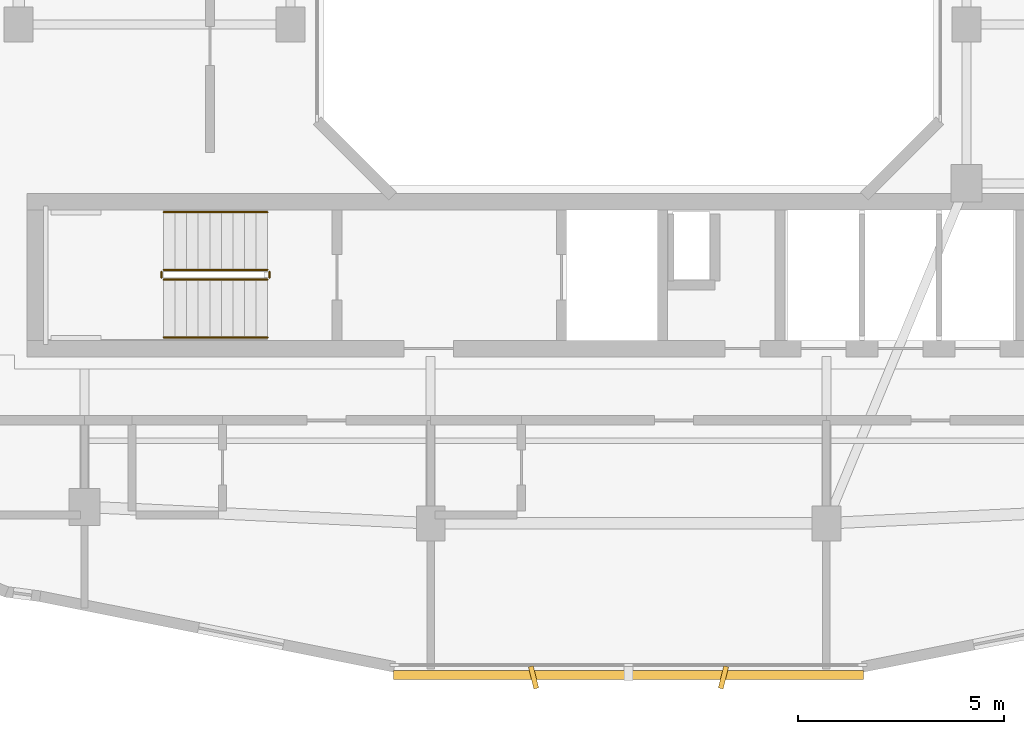
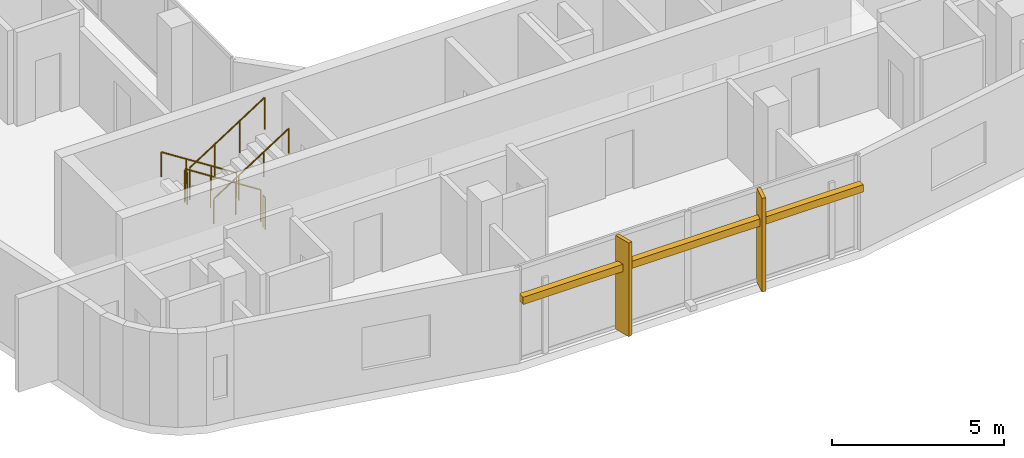
# One storey, part 11 of 14: 6 railings, 3 shading devices.
"""IFC4 building model written with IfcOpenShell, lengths in metres."""

from ifc_helpers import new_model, si_unit, derived_unit, direction, frame, origin, origin_2d, place, context, subcontext, project, spatial, rectangle, circle, extrude, material, type_object, element, save


model = new_model("IFC4")

# Units and contexts
model_context = context("Model", 3, precision=1e-05, world=origin(), true_north=direction((0.0, 1.0)))
body_context = subcontext(model_context, "Body", "Model", "MODEL_VIEW")
ifc_project = project(units=[si_unit("LENGTHUNIT", "METRE"), si_unit("AREAUNIT", "SQUARE_METRE"), si_unit("VOLUMEUNIT", "CUBIC_METRE"), si_unit("PLANEANGLEUNIT", "RADIAN"), si_unit("MASSUNIT", "GRAM", prefix="KILO"), derived_unit("THERMALTRANSMITTANCEUNIT", [(si_unit("POWERUNIT", "WATT"), 1), (si_unit("LENGTHUNIT", "METRE"), -2), (si_unit("THERMODYNAMICTEMPERATUREUNIT", "KELVIN"), -1)])], contexts=[model_context])

# Site, building, storey
site_placement = place(None, origin())
site = spatial("IfcSite", under=ifc_project, at=site_placement, CompositionType="ELEMENT")
building_placement = place(site_placement, origin())
building = spatial("IfcBuilding", under=site, at=building_placement, Name="Kivonza Crest Hotel", CompositionType="ELEMENT")
storey_placement = place(building_placement, frame((0.0, 0.0, 224.300048828125)))
storey = spatial("IfcBuildingStorey", under=building, at=storey_placement, Name="L61", CompositionType="ELEMENT", Elevation=224.300048828125)

# Railings
ifc_material_1 = material(Name="Brushed stainless steel handrail", Category="steel")
railing_type_1 = type_object("IfcRailingType", Name="RL-HAND-900", PredefinedType="HANDRAIL", material=ifc_material_1)
railing_1_placement = place(storey_placement, frame((12.239990234375, 16.949951171875, 0.179931640625)))
element("IfcRailing", 1, at=railing_1_placement, inside=storey, type_object=railing_type_1, Name="L61 ST-T1-S stair handrail 1", PredefinedType="HANDRAIL", context=body_context, shape_type="SweptSolid", body=[
    extrude(circle(Radius=0.02392578125, at=origin_2d()), frame((0.0, 0.0, 0.8759765625), z_axis=(-0.841162588446, 0.0, 0.540782303519), x_axis=(0.0, -1.0, 0.0)), (0.0, 0.0, 1.0), 2.995849609375),
    extrude(circle(Radius=0.02099609375, at=origin_2d()), origin(), (0.0, 0.0, 1.0), 0.851806640625),
    extrude(circle(Radius=0.02099609375, at=origin_2d()), frame((-0.840087890625, 0.0, 0.5400390625)), (0.0, 0.0, 1.0), 0.851806640625),
    extrude(circle(Radius=0.02099609375, at=origin_2d()), frame((-1.679931640625, 0.0, 1.080078125)), (0.0, 0.0, 1.0), 0.851806640625),
    extrude(circle(Radius=0.02099609375, at=origin_2d()), frame((-2.52001953125, 0.0, 1.6201171875)), (0.0, 0.0, 1.0), 0.851806640625),
])
railing_2_placement = place(storey_placement, frame((9.719970703125, 13.909912109375, 1.97998046875)))
element("IfcRailing", 2, at=railing_2_placement, inside=storey, type_object=railing_type_1, Name="L61 ST-T1-S stair handrail 2", PredefinedType="HANDRAIL", context=body_context, shape_type="SweptSolid", body=[
    extrude(circle(Radius=0.02392578125, at=origin_2d()), frame((0.0, 0.0, 0.8759765625), z_axis=(0.841199657755, 0.0, 0.540724639528), x_axis=(0.0, 1.0, 0.0)), (0.0, 0.0, 1.0), 2.995849609375),
    extrude(circle(Radius=0.02099609375, at=origin_2d()), origin(), (0.0, 0.0, 1.0), 0.851806640625),
    extrude(circle(Radius=0.02099609375, at=origin_2d()), frame((0.840087890625, 0.0, 0.5400390625)), (0.0, 0.0, 1.0), 0.851806640625),
    extrude(circle(Radius=0.02099609375, at=origin_2d()), frame((1.679931640625, 0.0, 1.079833984375)), (0.0, 0.0, 1.0), 0.851806640625),
    extrude(circle(Radius=0.02099609375, at=origin_2d()), frame((2.52001953125, 0.0, 1.619873046875)), (0.0, 0.0, 1.0), 0.851806640625),
])
ifc_material_2 = material(Name="Painted steel balustrade", Category="steel")
railing_type_2 = type_object("IfcRailingType", Name="RL-STAIR-1150", PredefinedType="BALUSTRADE", material=ifc_material_2)
railing_3_placement = place(storey_placement, frame((12.239990234375, 15.550048828125, 0.179931640625)))
element("IfcRailing", 3, at=railing_3_placement, inside=storey, type_object=railing_type_2, Name="L61 ST-T1-S stair guard 1", PredefinedType="BALUSTRADE", context=body_context, shape_type="SweptSolid", body=[
    extrude(circle(Radius=0.02392578125, at=origin_2d()), frame((0.0, 0.0, 1.1259765625), z_axis=(-0.841162588446, 0.0, 0.540782303519), x_axis=(0.0, -1.0, 0.0)), (0.0, 0.0, 1.0), 2.995849609375),
    extrude(circle(Radius=0.02099609375, at=origin_2d()), origin(), (0.0, 0.0, 1.0), 1.101806640625),
    extrude(circle(Radius=0.02099609375, at=origin_2d()), frame((-0.840087890625, 0.0, 0.5400390625)), (0.0, 0.0, 1.0), 1.101806640625),
    extrude(circle(Radius=0.02099609375, at=origin_2d()), frame((-1.679931640625, 0.0, 1.080078125)), (0.0, 0.0, 1.0), 1.101806640625),
    extrude(circle(Radius=0.02099609375, at=origin_2d()), frame((-2.52001953125, 0.0, 1.6201171875)), (0.0, 0.0, 1.0), 1.101806640625),
])
railing_4_placement = place(storey_placement, frame((9.669921875, 15.5, 1.800048828125)))
element("IfcRailing", 4, at=railing_4_placement, inside=storey, type_object=railing_type_2, Name="L61 ST-T1-S stair guard 2", PredefinedType="BALUSTRADE", context=body_context, shape_type="SweptSolid", body=[
    extrude(circle(Radius=0.02392578125, at=origin_2d()), frame((0.0, 0.0, 1.1259765625), z_axis=(0.0, -1.0, 0.0), x_axis=(1.0, 0.0, 0.0)), (0.0, 0.0, 1.0), 0.139892578125),
    extrude(circle(Radius=0.02099609375, at=origin_2d()), origin(), (0.0, 0.0, 1.0), 1.101806640625),
    extrude(circle(Radius=0.02099609375, at=origin_2d()), frame((0.0, -0.139892578125, 0.0)), (0.0, 0.0, 1.0), 1.101806640625),
])
railing_5_placement = place(storey_placement, frame((9.719970703125, 15.31005859375, 1.97998046875)))
element("IfcRailing", 5, at=railing_5_placement, inside=storey, type_object=railing_type_2, Name="L61 ST-T1-S stair guard 3", PredefinedType="BALUSTRADE", context=body_context, shape_type="SweptSolid", body=[
    extrude(circle(Radius=0.02392578125, at=origin_2d()), frame((0.0, 0.0, 1.1259765625), z_axis=(0.841199657755, 0.0, 0.540724639528), x_axis=(0.0, 1.0, 0.0)), (0.0, 0.0, 1.0), 2.995849609375),
    extrude(circle(Radius=0.02099609375, at=origin_2d()), origin(), (0.0, 0.0, 1.0), 1.101806640625),
    extrude(circle(Radius=0.02099609375, at=origin_2d()), frame((0.840087890625, 0.0, 0.5400390625)), (0.0, 0.0, 1.0), 1.101806640625),
    extrude(circle(Radius=0.02099609375, at=origin_2d()), frame((1.679931640625, 0.0, 1.079833984375)), (0.0, 0.0, 1.0), 1.101806640625),
    extrude(circle(Radius=0.02099609375, at=origin_2d()), frame((2.52001953125, 0.0, 1.619873046875)), (0.0, 0.0, 1.0), 1.101806640625),
])
railing_6_placement = place(storey_placement, frame((12.2900390625, 15.5, 0.0)))
element("IfcRailing", 6, at=railing_6_placement, inside=storey, type_object=railing_type_2, Name="L61 ST-T1-S stair guard 4", PredefinedType="BALUSTRADE", context=body_context, shape_type="SweptSolid", body=[
    extrude(circle(Radius=0.02392578125, at=origin_2d()), frame((0.0, 0.0, 1.1259765625), z_axis=(0.0, -1.0, 0.0), x_axis=(1.0, 0.0, 0.0)), (0.0, 0.0, 1.0), 0.139892578125),
    extrude(circle(Radius=0.02099609375, at=origin_2d()), origin(), (0.0, 0.0, 1.0), 1.101806640625),
    extrude(circle(Radius=0.02099609375, at=origin_2d()), frame((0.0, -0.139892578125, 0.0)), (0.0, 0.0, 1.0), 1.101806640625),
])

# Shading devices
ifc_material_3 = material(Name="Kiln-fired Nairobi red-ochre terracotta", Category="masonry")
shading_device_type_1 = type_object("IfcShadingDeviceType", Name="SH-BAGUETTE-300", PredefinedType="USERDEFINED", material=ifc_material_3)
shading_device_placement = place(storey_placement, frame((21.0, 5.719970703125, 2.19384765625), z_axis=(0.0, 0.0, 1.0), x_axis=(1.0, 0.0, 0.0)))
element("IfcShadingDevice", 7, at=shading_device_placement, inside=storey, type_object=shading_device_type_1, Name="L61 terracotta baguette screen CW-T1-L61-08", ObjectType="BAGUETTE", PredefinedType="USERDEFINED", context=body_context, shape_type="SweptSolid", body=[
    extrude(rectangle(XDim=11.39990234375, YDim=0.219970703125, at=origin_2d()), origin(), (0.0, 0.0, 1.0), 0.260009765625),
])
ifc_material_4 = material(Name="Kiln-fired terracotta over extruded aluminium spine", Category="masonry")
shading_device_type_2 = type_object("IfcShadingDeviceType", Name="SH-FIN-550", PredefinedType="USERDEFINED", material=ifc_material_4)
for number, where, z_axis, x_axis, name in (
    (8, (18.696044921875, 5.659912109375, 0.0), (0.0, 0.0, 1.0), (0.970295726276, 0.2419218956, 0.0), "L61 vertical solar shading fin CW-T1-L61-08-1"),
    (9, (23.303955078125, 5.659912109375, 0.0), (0.0, 0.0, 1.0), (0.970295726276, -0.2419218956, 0.0), "L61 vertical solar shading fin CW-T1-L61-08-2"),
):
    element("IfcShadingDevice", number, at=place(storey_placement, frame(where, z_axis=z_axis, x_axis=x_axis)), inside=storey, type_object=shading_device_type_2, Name=name, ObjectType="FIN", PredefinedType="USERDEFINED", context=body_context, shape_type="SweptSolid", body=[
        extrude(rectangle(XDim=0.1201171875, YDim=0.550048828125, at=origin_2d()), origin(), (0.0, 0.0, 1.0), 3.320068359375),
    ])

save(model, "model.ifc")
